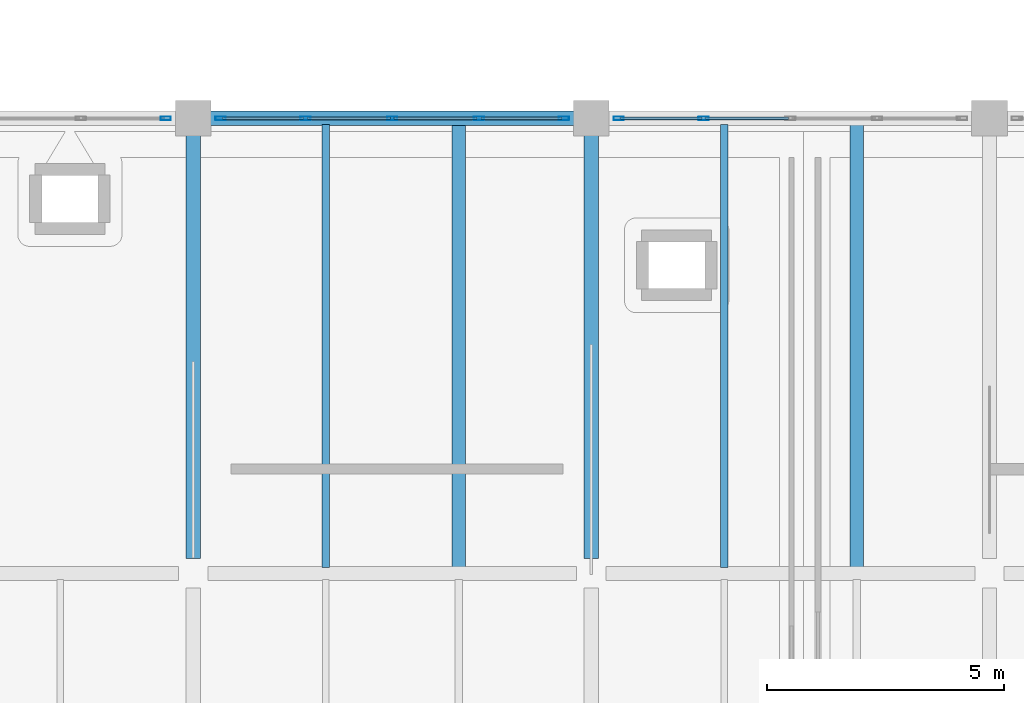
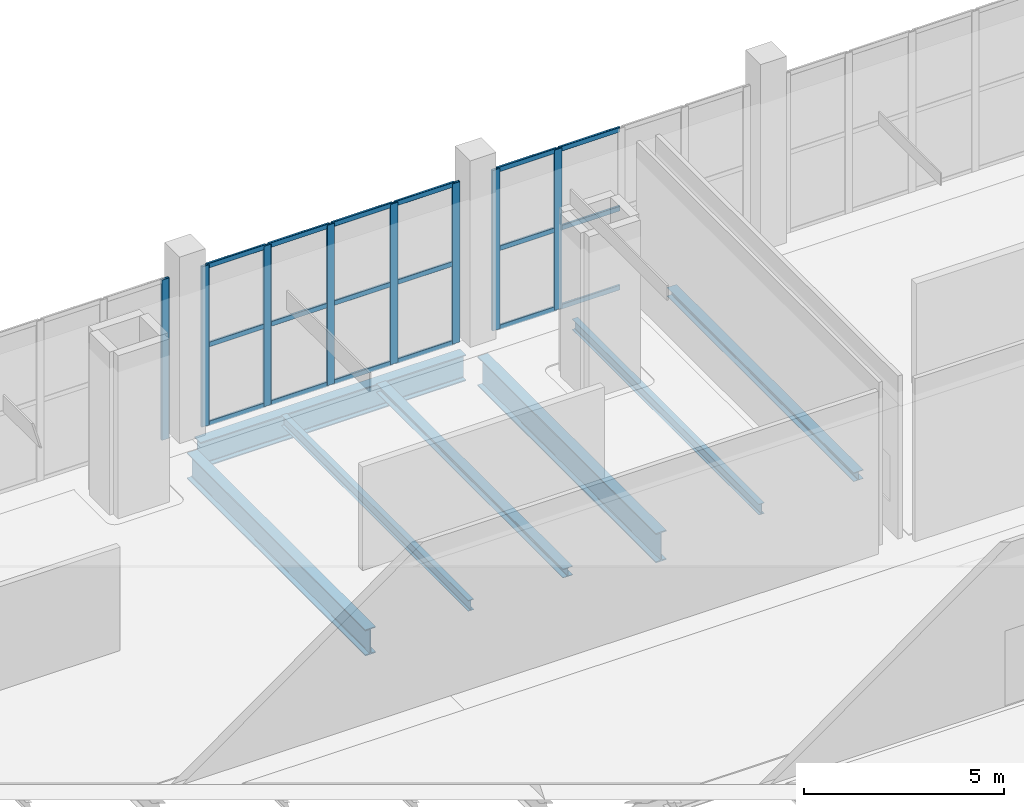
# One storey, part 14 of 49: 26 members, 7 beams, 3 elements without a shape of their own.
"""IFC4 building model written with IfcOpenShell, lengths in metres."""

from ifc_helpers import new_model, si_unit, direction, frame, origin, origin_2d, place, context, subcontext, project, spatial, hollow_rectangle, i_section, extrude, material, layer, layer_set, material_profile, profile_set, type_object, element, aggregate, save


model = new_model("IFC4")

# Units and contexts
model_context = context("Model", 3, precision=1e-05, world=origin(), true_north=direction((0.0, 1.0)))
body_context = subcontext(model_context, "Body", "Model", "MODEL_VIEW")
ifc_project = project(units=[si_unit("LENGTHUNIT", "METRE"), si_unit("AREAUNIT", "SQUARE_METRE"), si_unit("VOLUMEUNIT", "CUBIC_METRE"), si_unit("PLANEANGLEUNIT", "RADIAN"), si_unit("MASSUNIT", "GRAM", prefix="KILO")], contexts=[model_context])

# Site, building, storey
site_placement = place(None, origin())
site = spatial("IfcSite", under=ifc_project, at=site_placement, CompositionType="ELEMENT")
building_placement = place(site_placement, origin())
building = spatial("IfcBuilding", under=site, at=building_placement, Name="Zulmaris Art Gallery", CompositionType="ELEMENT")
storey_placement = place(building_placement, frame((0.0, 0.0, 20.699951171875)))
storey = spatial("IfcBuildingStorey", under=building, at=storey_placement, Name="L04", CompositionType="ELEMENT", Elevation=20.699951171875)

# Beams
ifc_material_1 = material(Name="Steel S355J2", Category="steel")
ifc_material_profile_1 = material_profile(ifc_material_1, i_section(OverallWidth=0.300048828125, OverallDepth=0.800048828125, WebThickness=0.017578125, FlangeThickness=0.032958984375, FilletRadius=0.030029296875, at=origin_2d()), Name="HEB 800")
ifc_profile_set_1 = profile_set([ifc_material_profile_1], Name="Steel S355J2")
beam_type_1 = type_object("IfcBeamType", Name="BEAM-BM17", PredefinedType="BEAM", material=ifc_profile_set_1)
beam_1_placement = place(storey_placement, frame((49.56005859375, 50.39990234375, -0.760009765625), z_axis=(1.0, 0.0, 0.0), x_axis=(0.0, 1.0, 0.0)))
element("IfcBeam", 1, at=beam_1_placement, inside=storey, type_object=beam_type_1, Name="L04 X-girder (49.2..57.6, y=50.4)", PredefinedType="BEAM", context=body_context, shape_type="SweptSolid", body=[
    extrude(i_section(OverallWidth=0.300048828125, OverallDepth=0.800048828125, WebThickness=0.017578125, FlangeThickness=0.032958984375, FilletRadius=0.030029296875, at=origin_2d()), origin(), (0.0, 0.0, 1.0), 7.679931640625),
])
beam_2_placement = place(storey_placement, frame((49.199951171875, 41.110107421875, -0.760009765625), z_axis=(0.0, 1.0, 0.0), x_axis=(-1.0, 0.0, 0.0)))
element("IfcBeam", 2, at=beam_2_placement, inside=storey, type_object=beam_type_1, Name="L04 Y-girder (x=49.2, 40.8..50.4)", PredefinedType="BEAM", context=body_context, shape_type="SweptSolid", body=[
    extrude(i_section(OverallWidth=0.300048828125, OverallDepth=0.800048828125, WebThickness=0.017578125, FlangeThickness=0.032958984375, FilletRadius=0.030029296875, at=origin_2d()), origin(), (0.0, 0.0, 1.0), 8.929931640625),
])
ifc_material_profile_2 = material_profile(ifc_material_1, i_section(OverallWidth=0.300048828125, OverallDepth=0.89990234375, WebThickness=0.0185546875, FlangeThickness=0.034912109375, FilletRadius=0.030029296875, at=origin_2d()), Name="HEB 900")
ifc_profile_set_2 = profile_set([ifc_material_profile_2], Name="Steel S355J2")
beam_type_2 = type_object("IfcBeamType", Name="BEAM-BM18", PredefinedType="BEAM", material=ifc_profile_set_2)
beam_3_placement = place(storey_placement, frame((57.60009765625, 41.110107421875, -0.81005859375), z_axis=(0.0, 1.0, 0.0), x_axis=(-1.0, 0.0, 0.0)))
element("IfcBeam", 3, at=beam_3_placement, inside=storey, type_object=beam_type_2, Name="L04 Y-girder (x=57.6, 40.8..50.4)", PredefinedType="BEAM", context=body_context, shape_type="SweptSolid", body=[
    extrude(i_section(OverallWidth=0.300048828125, OverallDepth=0.89990234375, WebThickness=0.0185546875, FlangeThickness=0.034912109375, FilletRadius=0.030029296875, at=origin_2d()), origin(), (0.0, 0.0, 1.0), 8.929931640625),
])
ifc_material_profile_3 = material_profile(ifc_material_1, i_section(OverallWidth=0.159912109375, OverallDepth=0.330078125, WebThickness=0.007568359375, FlangeThickness=0.011474609375, FilletRadius=0.01806640625, at=origin_2d()), Name="IPE 330")
ifc_profile_set_3 = profile_set([ifc_material_profile_3], Name="Steel S355J2")
beam_type_3 = type_object("IfcBeamType", Name="BEAM-JS03", PredefinedType="JOIST", material=ifc_profile_set_3)
for number, where, z_axis, x_axis, name in (
    (4, (52.0, 40.925048828125, -0.52490234375), (0.0, 1.0, 0.0), (-1.0, 0.0, 0.0), "L04 secondary joist at x=52.0"),
    (5, (60.39990234375, 40.925048828125, -0.52490234375), (0.0, 1.0, 0.0), (-1.0, 0.0, 0.0), "L04 secondary joist at x=60.4"),
):
    element("IfcBeam", number, at=place(storey_placement, frame(where, z_axis=z_axis, x_axis=x_axis)), inside=storey, type_object=beam_type_3, Name=name, PredefinedType="JOIST", context=body_context, shape_type="SweptSolid", body=[
        extrude(i_section(OverallWidth=0.159912109375, OverallDepth=0.330078125, WebThickness=0.007568359375, FlangeThickness=0.011474609375, FilletRadius=0.01806640625, at=origin_2d()), origin(), (0.0, 0.0, 1.0), 9.349853515625),
    ])
ifc_material_profile_4 = material_profile(ifc_material_1, i_section(OverallWidth=0.280029296875, OverallDepth=0.27001953125, WebThickness=0.008056640625, FlangeThickness=0.012939453125, FilletRadius=0.02392578125, at=origin_2d()), Name="HEA 280")
ifc_profile_set_4 = profile_set([ifc_material_profile_4], Name="Steel S355J2")
beam_type_4 = type_object("IfcBeamType", Name="BEAM-JS04", PredefinedType="JOIST", material=ifc_profile_set_4)
for number, where, z_axis, x_axis, name in (
    (6, (54.800048828125, 40.925048828125, -0.494873046875), (0.0, 1.0, 0.0), (-1.0, 0.0, 0.0), "L04 secondary joist at x=54.8"),
    (7, (63.199951171875, 40.925048828125, -0.494873046875), (0.0, 1.0, 0.0), (-1.0, 0.0, 0.0), "L04 secondary joist at x=63.2"),
):
    element("IfcBeam", number, at=place(storey_placement, frame(where, z_axis=z_axis, x_axis=x_axis)), inside=storey, type_object=beam_type_4, Name=name, PredefinedType="JOIST", context=body_context, shape_type="SweptSolid", body=[
        extrude(i_section(OverallWidth=0.280029296875, OverallDepth=0.27001953125, WebThickness=0.008056640625, FlangeThickness=0.012939453125, FilletRadius=0.02392578125, at=origin_2d()), origin(), (0.0, 0.0, 1.0), 9.349853515625),
    ])

# Curtain wall, member
ifc_material_2 = material(Name="Unitised Low-E Gallery Curtain Wall", Category="aluminium")
ifc_layer = layer(ifc_material_2, 0.179931640625)
ifc_layer_set = layer_set([ifc_layer], Name="Unitised Low-E Gallery Curtain Wall")
curtain_wall_type = type_object("IfcCurtainWallType", Name="CW-CW01", PredefinedType="NOTDEFINED", material=ifc_layer_set)
curtain_wall_1_placement = place(storey_placement, origin())
curtain_wall_1 = element("IfcCurtainWall", 8, at=curtain_wall_1_placement, inside=storey, type_object=curtain_wall_type, Name="L04 curtain wall 27", PredefinedType="NOTDEFINED")
ifc_material_3 = material(Name="Anodised Bronze Aluminium", Category="aluminium")
ifc_material_profile_5 = material_profile(ifc_material_3, hollow_rectangle(XDim=0.074951171875, YDim=0.219970703125, WallThickness=0.0048828125, InnerFilletRadius=0.007568359375, OuterFilletRadius=0.012451171875, at=origin_2d()), Name="ALU 75x220x5")
ifc_profile_set_5 = profile_set([ifc_material_profile_5], Name="Anodised Bronze Aluminium")
member_type_1 = type_object("IfcMemberType", Name="CWMUL-02", PredefinedType="MULLION", material=ifc_profile_set_5)
member_1_placement = place(storey_placement, frame((48.62255859375, 50.39990234375, 0.0), z_axis=(0.0, 0.0, 1.0), x_axis=(0.0, -1.0, 0.0)))
member_1 = element("IfcMember", 9, at=member_1_placement, type_object=member_type_1, Name="CW01 mullion 1", PredefinedType="MULLION", context=body_context, shape_type="SweptSolid", body=[
    extrude(hollow_rectangle(XDim=0.074951171875, YDim=0.219970703125, WallThickness=0.0048828125, InnerFilletRadius=0.007568359375, OuterFilletRadius=0.012451171875, at=origin_2d()), origin(), (0.0, 0.0, 1.0), 4.900146484375),
])
aggregate(curtain_wall_1, [member_1])

# Curtain wall, members
curtain_wall_2_placement = place(storey_placement, origin())
curtain_wall_2 = element("IfcCurtainWall", 10, at=curtain_wall_2_placement, inside=storey, type_object=curtain_wall_type, Name="L04 curtain wall 29", PredefinedType="NOTDEFINED")
member_2_placement = place(storey_placement, frame((57.0224609375, 50.39990234375, 0.0), z_axis=(0.0, 0.0, 1.0), x_axis=(0.0, -1.0, 0.0)))
member_2 = element("IfcMember", 11, at=member_2_placement, type_object=member_type_1, Name="CW01 mullion 1", PredefinedType="MULLION", context=body_context, shape_type="SweptSolid", body=[
    extrude(hollow_rectangle(XDim=0.074951171875, YDim=0.219970703125, WallThickness=0.0048828125, InnerFilletRadius=0.007568359375, OuterFilletRadius=0.012451171875, at=origin_2d()), origin(), (0.0, 0.0, 1.0), 4.900146484375),
])
member_3_placement = place(storey_placement, frame((55.22998046875, 50.39990234375, 0.0), z_axis=(0.0, 0.0, 1.0), x_axis=(0.0, -1.0, 0.0)))
member_3 = element("IfcMember", 12, at=member_3_placement, type_object=member_type_1, Name="CW01 mullion 2", PredefinedType="MULLION", context=body_context, shape_type="SweptSolid", body=[
    extrude(hollow_rectangle(XDim=0.074951171875, YDim=0.219970703125, WallThickness=0.0048828125, InnerFilletRadius=0.007568359375, OuterFilletRadius=0.012451171875, at=origin_2d()), origin(), (0.0, 0.0, 1.0), 4.900146484375),
])
member_4_placement = place(storey_placement, frame((53.39990234375, 50.39990234375, 0.0), z_axis=(0.0, 0.0, 1.0), x_axis=(0.0, -1.0, 0.0)))
member_4 = element("IfcMember", 13, at=member_4_placement, type_object=member_type_1, Name="CW01 mullion 3", PredefinedType="MULLION", context=body_context, shape_type="SweptSolid", body=[
    extrude(hollow_rectangle(XDim=0.074951171875, YDim=0.219970703125, WallThickness=0.0048828125, InnerFilletRadius=0.007568359375, OuterFilletRadius=0.012451171875, at=origin_2d()), origin(), (0.0, 0.0, 1.0), 4.900146484375),
])
member_5_placement = place(storey_placement, frame((51.570068359375, 50.39990234375, 0.0), z_axis=(0.0, 0.0, 1.0), x_axis=(0.0, -1.0, 0.0)))
member_5 = element("IfcMember", 14, at=member_5_placement, type_object=member_type_1, Name="CW01 mullion 4", PredefinedType="MULLION", context=body_context, shape_type="SweptSolid", body=[
    extrude(hollow_rectangle(XDim=0.074951171875, YDim=0.219970703125, WallThickness=0.0048828125, InnerFilletRadius=0.007568359375, OuterFilletRadius=0.012451171875, at=origin_2d()), origin(), (0.0, 0.0, 1.0), 4.900146484375),
])
member_6_placement = place(storey_placement, frame((49.777587890625, 50.39990234375, 0.0), z_axis=(0.0, 0.0, 1.0), x_axis=(0.0, -1.0, 0.0)))
member_6 = element("IfcMember", 15, at=member_6_placement, type_object=member_type_1, Name="CW01 mullion 5", PredefinedType="MULLION", context=body_context, shape_type="SweptSolid", body=[
    extrude(hollow_rectangle(XDim=0.074951171875, YDim=0.219970703125, WallThickness=0.0048828125, InnerFilletRadius=0.007568359375, OuterFilletRadius=0.012451171875, at=origin_2d()), origin(), (0.0, 0.0, 1.0), 4.900146484375),
])

curtain_wall_3_placement = place(storey_placement, origin())
curtain_wall_3 = element("IfcCurtainWall", 16, at=curtain_wall_3_placement, inside=storey, type_object=curtain_wall_type, Name="L04 curtain wall 31", PredefinedType="NOTDEFINED")
member_7_placement = place(storey_placement, frame((59.969970703125, 50.39990234375, 0.0), z_axis=(0.0, 0.0, 1.0), x_axis=(0.0, -1.0, 0.0)))
member_7 = element("IfcMember", 17, at=member_7_placement, type_object=member_type_1, Name="CW01 mullion 4", PredefinedType="MULLION", context=body_context, shape_type="SweptSolid", body=[
    extrude(hollow_rectangle(XDim=0.074951171875, YDim=0.219970703125, WallThickness=0.0048828125, InnerFilletRadius=0.007568359375, OuterFilletRadius=0.012451171875, at=origin_2d()), origin(), (0.0, 0.0, 1.0), 4.900146484375),
])
member_8_placement = place(storey_placement, frame((58.177490234375, 50.39990234375, 0.0), z_axis=(0.0, 0.0, 1.0), x_axis=(0.0, -1.0, 0.0)))
member_8 = element("IfcMember", 18, at=member_8_placement, type_object=member_type_1, Name="CW01 mullion 5", PredefinedType="MULLION", context=body_context, shape_type="SweptSolid", body=[
    extrude(hollow_rectangle(XDim=0.074951171875, YDim=0.219970703125, WallThickness=0.0048828125, InnerFilletRadius=0.007568359375, OuterFilletRadius=0.012451171875, at=origin_2d()), origin(), (0.0, 0.0, 1.0), 4.900146484375),
])

# Member
ifc_material_profile_6 = material_profile(ifc_material_3, hollow_rectangle(XDim=0.06494140625, YDim=0.14990234375, WallThickness=0.00390625, InnerFilletRadius=0.006103515625, OuterFilletRadius=0.010009765625, at=origin_2d()), Name="ALU 65x150x4")
ifc_profile_set_6 = profile_set([ifc_material_profile_6], Name="Anodised Bronze Aluminium")
member_type_2 = type_object("IfcMemberType", Name="CWTRN-01", PredefinedType="USERDEFINED", material=ifc_profile_set_6)
member_9_placement = place(storey_placement, frame((56.985107421875, 50.39990234375, 0.03759765625), z_axis=(-1.0, 0.0, 0.0), x_axis=(0.0, -1.0, 0.0)))
member_9 = element("IfcMember", 19, at=member_9_placement, type_object=member_type_2, Name="CW01 transom 1.1", ObjectType="TRANSOM", PredefinedType="USERDEFINED", context=body_context, shape_type="SweptSolid", body=[
    extrude(hollow_rectangle(XDim=0.06494140625, YDim=0.14990234375, WallThickness=0.00390625, InnerFilletRadius=0.006103515625, OuterFilletRadius=0.010009765625, at=origin_2d()), origin(), (0.0, 0.0, 1.0), 1.717529296875),
])

member_10_placement = place(storey_placement, frame((56.985107421875, 50.39990234375, 2.449951171875), z_axis=(-1.0, 0.0, 0.0), x_axis=(0.0, -1.0, 0.0)))
member_10 = element("IfcMember", 20, at=member_10_placement, type_object=member_type_2, Name="CW01 transom 1.2", ObjectType="TRANSOM", PredefinedType="USERDEFINED", context=body_context, shape_type="SweptSolid", body=[
    extrude(hollow_rectangle(XDim=0.06494140625, YDim=0.14990234375, WallThickness=0.00390625, InnerFilletRadius=0.006103515625, OuterFilletRadius=0.010009765625, at=origin_2d()), origin(), (0.0, 0.0, 1.0), 1.717529296875),
])

member_11_placement = place(storey_placement, frame((56.985107421875, 50.39990234375, 4.862548828125), z_axis=(-1.0, 0.0, 0.0), x_axis=(0.0, -1.0, 0.0)))
member_11 = element("IfcMember", 21, at=member_11_placement, type_object=member_type_2, Name="CW01 transom 1.3", ObjectType="TRANSOM", PredefinedType="USERDEFINED", context=body_context, shape_type="SweptSolid", body=[
    extrude(hollow_rectangle(XDim=0.06494140625, YDim=0.14990234375, WallThickness=0.00390625, InnerFilletRadius=0.006103515625, OuterFilletRadius=0.010009765625, at=origin_2d()), origin(), (0.0, 0.0, 1.0), 1.717529296875),
])

member_12_placement = place(storey_placement, frame((55.1923828125, 50.39990234375, 0.03759765625), z_axis=(-1.0, 0.0, 0.0), x_axis=(0.0, -1.0, 0.0)))
member_12 = element("IfcMember", 22, at=member_12_placement, type_object=member_type_2, Name="CW01 transom 2.1", ObjectType="TRANSOM", PredefinedType="USERDEFINED", context=body_context, shape_type="SweptSolid", body=[
    extrude(hollow_rectangle(XDim=0.06494140625, YDim=0.14990234375, WallThickness=0.00390625, InnerFilletRadius=0.006103515625, OuterFilletRadius=0.010009765625, at=origin_2d()), origin(), (0.0, 0.0, 1.0), 1.7548828125),
])

member_13_placement = place(storey_placement, frame((55.1923828125, 50.39990234375, 2.449951171875), z_axis=(-1.0, 0.0, 0.0), x_axis=(0.0, -1.0, 0.0)))
member_13 = element("IfcMember", 23, at=member_13_placement, type_object=member_type_2, Name="CW01 transom 2.2", ObjectType="TRANSOM", PredefinedType="USERDEFINED", context=body_context, shape_type="SweptSolid", body=[
    extrude(hollow_rectangle(XDim=0.06494140625, YDim=0.14990234375, WallThickness=0.00390625, InnerFilletRadius=0.006103515625, OuterFilletRadius=0.010009765625, at=origin_2d()), origin(), (0.0, 0.0, 1.0), 1.7548828125),
])

member_14_placement = place(storey_placement, frame((55.1923828125, 50.39990234375, 4.862548828125), z_axis=(-1.0, 0.0, 0.0), x_axis=(0.0, -1.0, 0.0)))
member_14 = element("IfcMember", 24, at=member_14_placement, type_object=member_type_2, Name="CW01 transom 2.3", ObjectType="TRANSOM", PredefinedType="USERDEFINED", context=body_context, shape_type="SweptSolid", body=[
    extrude(hollow_rectangle(XDim=0.06494140625, YDim=0.14990234375, WallThickness=0.00390625, InnerFilletRadius=0.006103515625, OuterFilletRadius=0.010009765625, at=origin_2d()), origin(), (0.0, 0.0, 1.0), 1.7548828125),
])

member_15_placement = place(storey_placement, frame((53.362548828125, 50.39990234375, 0.03759765625), z_axis=(-1.0, 0.0, 0.0), x_axis=(0.0, -1.0, 0.0)))
member_15 = element("IfcMember", 25, at=member_15_placement, type_object=member_type_2, Name="CW01 transom 3.1", ObjectType="TRANSOM", PredefinedType="USERDEFINED", context=body_context, shape_type="SweptSolid", body=[
    extrude(hollow_rectangle(XDim=0.06494140625, YDim=0.14990234375, WallThickness=0.00390625, InnerFilletRadius=0.006103515625, OuterFilletRadius=0.010009765625, at=origin_2d()), origin(), (0.0, 0.0, 1.0), 1.755126953125),
])

member_16_placement = place(storey_placement, frame((53.362548828125, 50.39990234375, 2.449951171875), z_axis=(-1.0, 0.0, 0.0), x_axis=(0.0, -1.0, 0.0)))
member_16 = element("IfcMember", 26, at=member_16_placement, type_object=member_type_2, Name="CW01 transom 3.2", ObjectType="TRANSOM", PredefinedType="USERDEFINED", context=body_context, shape_type="SweptSolid", body=[
    extrude(hollow_rectangle(XDim=0.06494140625, YDim=0.14990234375, WallThickness=0.00390625, InnerFilletRadius=0.006103515625, OuterFilletRadius=0.010009765625, at=origin_2d()), origin(), (0.0, 0.0, 1.0), 1.755126953125),
])

member_17_placement = place(storey_placement, frame((53.362548828125, 50.39990234375, 4.862548828125), z_axis=(-1.0, 0.0, 0.0), x_axis=(0.0, -1.0, 0.0)))
member_17 = element("IfcMember", 27, at=member_17_placement, type_object=member_type_2, Name="CW01 transom 3.3", ObjectType="TRANSOM", PredefinedType="USERDEFINED", context=body_context, shape_type="SweptSolid", body=[
    extrude(hollow_rectangle(XDim=0.06494140625, YDim=0.14990234375, WallThickness=0.00390625, InnerFilletRadius=0.006103515625, OuterFilletRadius=0.010009765625, at=origin_2d()), origin(), (0.0, 0.0, 1.0), 1.755126953125),
])

member_18_placement = place(storey_placement, frame((51.532470703125, 50.39990234375, 0.03759765625), z_axis=(-1.0, 0.0, 0.0), x_axis=(0.0, -1.0, 0.0)))
member_18 = element("IfcMember", 28, at=member_18_placement, type_object=member_type_2, Name="CW01 transom 4.1", ObjectType="TRANSOM", PredefinedType="USERDEFINED", context=body_context, shape_type="SweptSolid", body=[
    extrude(hollow_rectangle(XDim=0.06494140625, YDim=0.14990234375, WallThickness=0.00390625, InnerFilletRadius=0.006103515625, OuterFilletRadius=0.010009765625, at=origin_2d()), origin(), (0.0, 0.0, 1.0), 1.717529296875),
])

member_19_placement = place(storey_placement, frame((51.532470703125, 50.39990234375, 2.449951171875), z_axis=(-1.0, 0.0, 0.0), x_axis=(0.0, -1.0, 0.0)))
member_19 = element("IfcMember", 29, at=member_19_placement, type_object=member_type_2, Name="CW01 transom 4.2", ObjectType="TRANSOM", PredefinedType="USERDEFINED", context=body_context, shape_type="SweptSolid", body=[
    extrude(hollow_rectangle(XDim=0.06494140625, YDim=0.14990234375, WallThickness=0.00390625, InnerFilletRadius=0.006103515625, OuterFilletRadius=0.010009765625, at=origin_2d()), origin(), (0.0, 0.0, 1.0), 1.717529296875),
])

member_20_placement = place(storey_placement, frame((51.532470703125, 50.39990234375, 4.862548828125), z_axis=(-1.0, 0.0, 0.0), x_axis=(0.0, -1.0, 0.0)))
member_20 = element("IfcMember", 30, at=member_20_placement, type_object=member_type_2, Name="CW01 transom 4.3", ObjectType="TRANSOM", PredefinedType="USERDEFINED", context=body_context, shape_type="SweptSolid", body=[
    extrude(hollow_rectangle(XDim=0.06494140625, YDim=0.14990234375, WallThickness=0.00390625, InnerFilletRadius=0.006103515625, OuterFilletRadius=0.010009765625, at=origin_2d()), origin(), (0.0, 0.0, 1.0), 1.717529296875),
])

aggregate(curtain_wall_2, [member_2, member_3, member_4, member_5, member_6, member_9, member_10, member_11, member_12, member_13, member_14, member_15, member_16, member_17, member_18, member_19, member_20])

member_21_placement = place(storey_placement, frame((61.762451171875, 50.39990234375, 0.03759765625), z_axis=(-1.0, 0.0, 0.0), x_axis=(0.0, -1.0, 0.0)))
member_21 = element("IfcMember", 31, at=member_21_placement, type_object=member_type_2, Name="CW01 transom 3.1", ObjectType="TRANSOM", PredefinedType="USERDEFINED", context=body_context, shape_type="SweptSolid", body=[
    extrude(hollow_rectangle(XDim=0.06494140625, YDim=0.14990234375, WallThickness=0.00390625, InnerFilletRadius=0.006103515625, OuterFilletRadius=0.010009765625, at=origin_2d()), origin(), (0.0, 0.0, 1.0), 1.7548828125),
])

member_22_placement = place(storey_placement, frame((61.762451171875, 50.39990234375, 2.449951171875), z_axis=(-1.0, 0.0, 0.0), x_axis=(0.0, -1.0, 0.0)))
member_22 = element("IfcMember", 32, at=member_22_placement, type_object=member_type_2, Name="CW01 transom 3.2", ObjectType="TRANSOM", PredefinedType="USERDEFINED", context=body_context, shape_type="SweptSolid", body=[
    extrude(hollow_rectangle(XDim=0.06494140625, YDim=0.14990234375, WallThickness=0.00390625, InnerFilletRadius=0.006103515625, OuterFilletRadius=0.010009765625, at=origin_2d()), origin(), (0.0, 0.0, 1.0), 1.7548828125),
])

member_23_placement = place(storey_placement, frame((61.762451171875, 50.39990234375, 4.862548828125), z_axis=(-1.0, 0.0, 0.0), x_axis=(0.0, -1.0, 0.0)))
member_23 = element("IfcMember", 33, at=member_23_placement, type_object=member_type_2, Name="CW01 transom 3.3", ObjectType="TRANSOM", PredefinedType="USERDEFINED", context=body_context, shape_type="SweptSolid", body=[
    extrude(hollow_rectangle(XDim=0.06494140625, YDim=0.14990234375, WallThickness=0.00390625, InnerFilletRadius=0.006103515625, OuterFilletRadius=0.010009765625, at=origin_2d()), origin(), (0.0, 0.0, 1.0), 1.7548828125),
])

member_24_placement = place(storey_placement, frame((59.9326171875, 50.39990234375, 0.03759765625), z_axis=(-1.0, 0.0, 0.0), x_axis=(0.0, -1.0, 0.0)))
member_24 = element("IfcMember", 34, at=member_24_placement, type_object=member_type_2, Name="CW01 transom 4.1", ObjectType="TRANSOM", PredefinedType="USERDEFINED", context=body_context, shape_type="SweptSolid", body=[
    extrude(hollow_rectangle(XDim=0.06494140625, YDim=0.14990234375, WallThickness=0.00390625, InnerFilletRadius=0.006103515625, OuterFilletRadius=0.010009765625, at=origin_2d()), origin(), (0.0, 0.0, 1.0), 1.717529296875),
])

member_25_placement = place(storey_placement, frame((59.9326171875, 50.39990234375, 2.449951171875), z_axis=(-1.0, 0.0, 0.0), x_axis=(0.0, -1.0, 0.0)))
member_25 = element("IfcMember", 35, at=member_25_placement, type_object=member_type_2, Name="CW01 transom 4.2", ObjectType="TRANSOM", PredefinedType="USERDEFINED", context=body_context, shape_type="SweptSolid", body=[
    extrude(hollow_rectangle(XDim=0.06494140625, YDim=0.14990234375, WallThickness=0.00390625, InnerFilletRadius=0.006103515625, OuterFilletRadius=0.010009765625, at=origin_2d()), origin(), (0.0, 0.0, 1.0), 1.717529296875),
])

member_26_placement = place(storey_placement, frame((59.9326171875, 50.39990234375, 4.862548828125), z_axis=(-1.0, 0.0, 0.0), x_axis=(0.0, -1.0, 0.0)))
member_26 = element("IfcMember", 36, at=member_26_placement, type_object=member_type_2, Name="CW01 transom 4.3", ObjectType="TRANSOM", PredefinedType="USERDEFINED", context=body_context, shape_type="SweptSolid", body=[
    extrude(hollow_rectangle(XDim=0.06494140625, YDim=0.14990234375, WallThickness=0.00390625, InnerFilletRadius=0.006103515625, OuterFilletRadius=0.010009765625, at=origin_2d()), origin(), (0.0, 0.0, 1.0), 1.717529296875),
])

aggregate(curtain_wall_3, [member_7, member_8, member_21, member_22, member_23, member_24, member_25, member_26])

save(model, "model.ifc")
